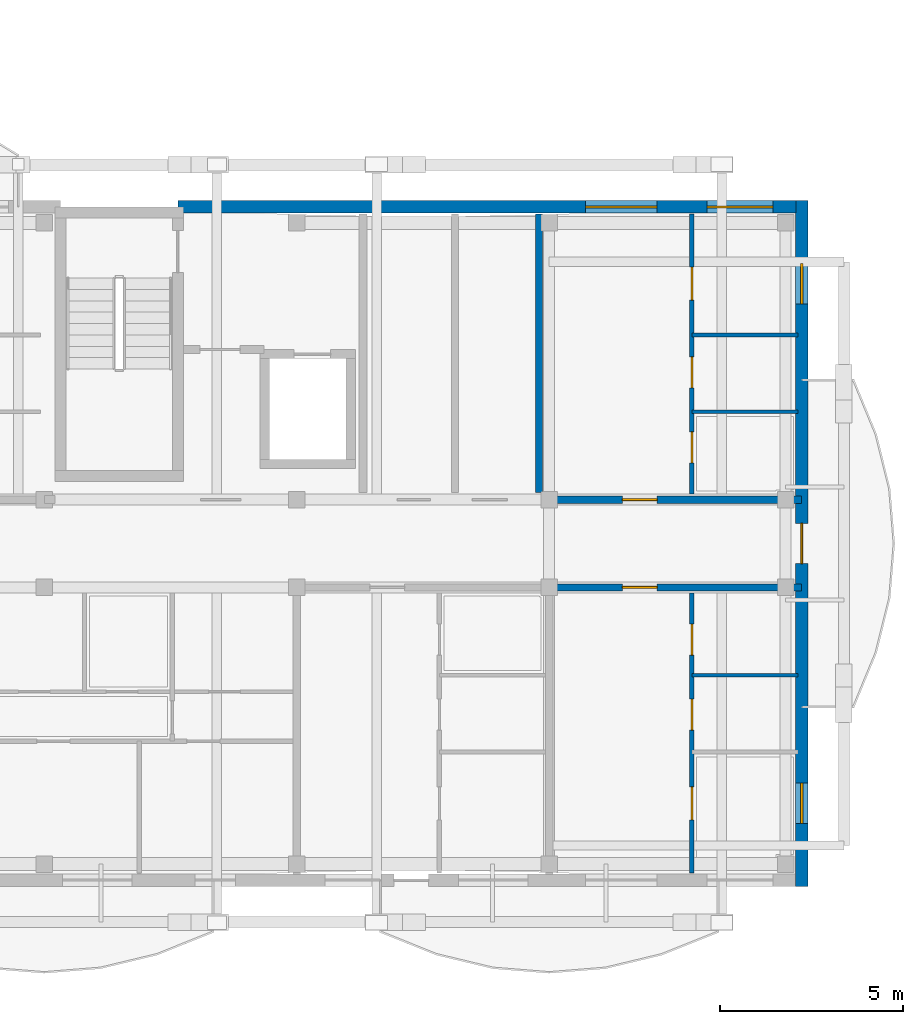
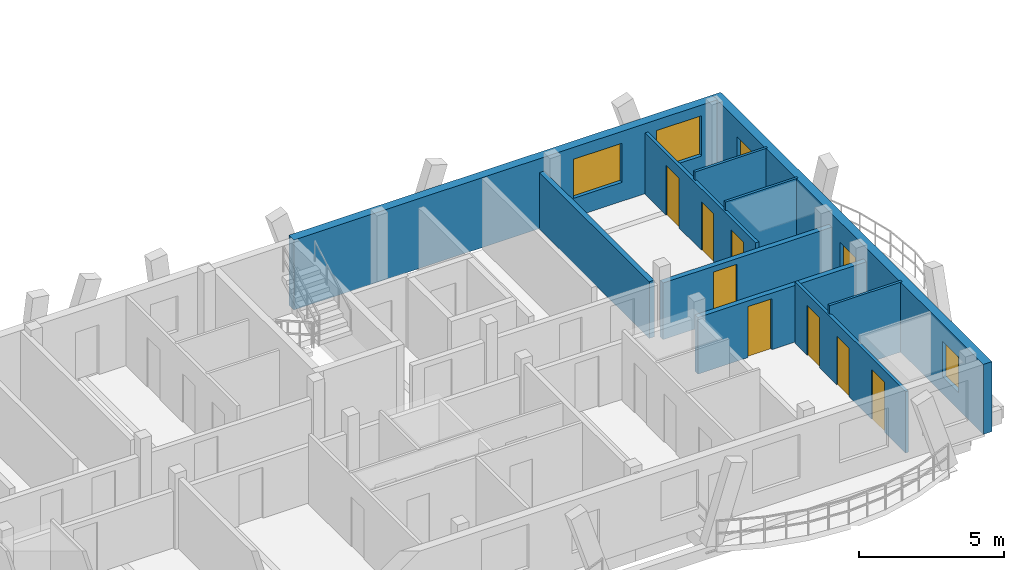
# One storey, part 29 of 44: 10 walls, 9 doors, 4 windows, 13 openings.
"""IFC4 building model written with IfcOpenShell, lengths in metres."""

from ifc_helpers import new_model, si_unit, direction, frame, frame_2d, origin, origin_with_axes, place, context, subcontext, project, spatial, rectangle, extrude, material, layer, layer_set, type_object, element, fill, save


model = new_model("IFC4")

# Units and contexts
model_context = context("Model", 3, precision=1e-05, world=origin(), true_north=direction((0.0, 1.0)))
body_context = subcontext(model_context, "Body", "Model", "MODEL_VIEW")
ifc_project = project(units=[si_unit("LENGTHUNIT", "METRE"), si_unit("AREAUNIT", "SQUARE_METRE"), si_unit("VOLUMEUNIT", "CUBIC_METRE"), si_unit("PLANEANGLEUNIT", "RADIAN"), si_unit("MASSUNIT", "GRAM", prefix="KILO")], contexts=[model_context])

# Site, building, storey
site_placement = place(None, origin())
site = spatial("IfcSite", under=ifc_project, at=site_placement, CompositionType="ELEMENT")
building_placement = place(site_placement, origin())
building = spatial("IfcBuilding", under=site, at=building_placement, Name="Zavelmont Quarter", CompositionType="ELEMENT")
storey_placement = place(building_placement, frame((0.0, 0.0, 20.800048828125)))
storey = spatial("IfcBuildingStorey", under=building, at=storey_placement, Name="L06", CompositionType="ELEMENT", Elevation=20.800048828125)

# Wall, openings, windows
ifc_material_1 = material(Name="Natural Belgian limestone", Category="masonry")
ifc_layer_1 = layer(ifc_material_1, 0.340087890625)
ifc_layer_set_1 = layer_set([ifc_layer_1], Name="Natural Belgian limestone")
wall_type_1 = type_object("IfcWallType", Name="EW03", PredefinedType="STANDARD", material=ifc_layer_set_1)
wall_1_placement = place(storey_placement, frame((150.949951171875, 18.39990234375, 0.0), z_axis=(0.0, 0.0, 1.0), x_axis=(1.0, 0.0, 0.0)))
wall_1 = element("IfcWall", 1, at=wall_1_placement, inside=storey, type_object=wall_type_1, Name="L06 exterior limestone wall EW03", PredefinedType="STANDARD", context=body_context, shape_type="SweptSolid", body=[
    extrude(rectangle(XDim=16.89013671875, YDim=0.340087890625, at=frame_2d((8.445068359375, 0.0))), origin(), (0.0, 0.0, 1.0), 2.949951171875),
])
opening_1_placement = place(wall_1_placement, frame((11.14501953125, 0.0, 0.800048828125)))
opening_1 = element("IfcOpeningElement", 2, at=opening_1_placement, cuts=wall_1, Name="Opening WN24", PredefinedType="OPENING", context=body_context, shape_type="SweptSolid", body=[
    extrude(rectangle(XDim=1.949951171875, YDim=1.64990234375, at=frame_2d((0.97509765625, 0.824951171875))), frame((0.0, 0.18212890625, 0.0), z_axis=(0.0, -1.0, 0.0), x_axis=(1.0, 0.0, 0.0)), (0.0, 0.0, 1.0), 0.364013671875),
])
opening_2_placement = place(wall_1_placement, frame((14.4599609375, 0.0, 0.800048828125)))
opening_2 = element("IfcOpeningElement", 3, at=opening_2_placement, cuts=wall_1, Name="Opening WN02", PredefinedType="OPENING", context=body_context, shape_type="SweptSolid", body=[
    extrude(rectangle(XDim=1.800048828125, YDim=1.699951171875, at=frame_2d((0.89990234375, 0.85009765625))), frame((0.0, 0.18212890625, 0.0), z_axis=(0.0, -1.0, 0.0), x_axis=(1.0, 0.0, 0.0)), (0.0, 0.0, 1.0), 0.364013671875),
])
ifc_material_2 = material(Name="Double low-E insulated glazing in thermally broken aluminium frame", Category="aluminium")
window_type_1 = type_object("IfcWindowType", Name="WN02", PartitioningType="SINGLE_PANEL", PredefinedType="WINDOW", material=ifc_material_2)
window_1_placement = place(opening_2_placement, origin_with_axes())
window_1 = element("IfcWindow", 4, at=window_1_placement, inside=storey, type_object=window_type_1, Name="L06 window WN02", OverallHeight=1.699951171875, OverallWidth=1.800048828125, PartitioningType="SINGLE_PANEL", PredefinedType="WINDOW", context=body_context, shape_type="SweptSolid", body=[
    extrude(rectangle(XDim=1.800048828125, YDim=1.699951171875, at=frame_2d((0.89990234375, 0.85009765625))), frame((0.0, 0.030029296875, 0.0), z_axis=(0.0, -1.0, 0.0), x_axis=(1.0, 0.0, 0.0)), (0.0, 0.0, 1.0), 0.06005859375),
])
fill(opening_2, window_1)
window_type_2 = type_object("IfcWindowType", Name="WN24", PartitioningType="SINGLE_PANEL", PredefinedType="WINDOW", material=ifc_material_2)
window_2_placement = place(opening_1_placement, origin_with_axes())
window_2 = element("IfcWindow", 5, at=window_2_placement, inside=storey, type_object=window_type_2, Name="L06 window WN24", OverallHeight=1.64990234375, OverallWidth=1.949951171875, PartitioningType="SINGLE_PANEL", PredefinedType="WINDOW", context=body_context, shape_type="SweptSolid", body=[
    extrude(rectangle(XDim=1.949951171875, YDim=1.64990234375, at=frame_2d((0.97509765625, 0.824951171875))), frame((0.0, 0.030029296875, 0.0), z_axis=(0.0, -1.0, 0.0), x_axis=(1.0, 0.0, 0.0)), (0.0, 0.0, 1.0), 0.06005859375),
])
fill(opening_1, window_2)

# Wall, openings, door, windows
wall_2_placement = place(storey_placement, frame((168.0, -0.169921875, 0.0), z_axis=(0.0, 0.0, 1.0), x_axis=(0.0, 1.0, 0.0)))
wall_2 = element("IfcWall", 6, at=wall_2_placement, inside=storey, type_object=wall_type_1, Name="L06 exterior limestone wall EW03", PredefinedType="STANDARD", context=body_context, shape_type="SweptSolid", body=[
    extrude(rectangle(XDim=18.739990234375, YDim=0.340087890625, at=frame_2d((9.3701171875, 0.0))), origin(), (0.0, 0.0, 1.0), 2.949951171875),
])
opening_3_placement = place(wall_2_placement, frame((8.820068359375, 0.0, 0.0)))
opening_3 = element("IfcOpeningElement", 7, at=opening_3_placement, cuts=wall_2, Name="Opening DR04B", PredefinedType="OPENING", context=body_context, shape_type="SweptSolid", body=[
    extrude(rectangle(XDim=1.10009765625, YDim=2.10009765625, at=frame_2d((0.550048828125, 1.050048828125))), frame((0.0, 0.18212890625, 0.0), z_axis=(0.0, -1.0, 0.0), x_axis=(1.0, 0.0, 0.0)), (0.0, 0.0, 1.0), 0.364013671875),
])
opening_4_placement = place(wall_2_placement, frame((1.719970703125, 0.0, 0.719970703125)))
opening_4 = element("IfcOpeningElement", 8, at=opening_4_placement, cuts=wall_2, Name="Opening WN09", PredefinedType="OPENING", context=body_context, shape_type="SweptSolid", body=[
    extrude(rectangle(XDim=1.10009765625, YDim=1.5, at=frame_2d((0.550048828125, 0.75))), frame((0.0, 0.18212890625, 0.0), z_axis=(0.0, -1.0, 0.0), x_axis=(1.0, 0.0, 0.0)), (0.0, 0.0, 1.0), 0.364013671875),
])
opening_5_placement = place(wall_2_placement, frame((15.919921875, 0.0, 0.719970703125)))
opening_5 = element("IfcOpeningElement", 9, at=opening_5_placement, cuts=wall_2, Name="Opening WN09", PredefinedType="OPENING", context=body_context, shape_type="SweptSolid", body=[
    extrude(rectangle(XDim=1.10009765625, YDim=1.5, at=frame_2d((0.550048828125, 0.75))), frame((0.0, 0.18212890625, 0.0), z_axis=(0.0, -1.0, 0.0), x_axis=(1.0, 0.0, 0.0)), (0.0, 0.0, 1.0), 0.364013671875),
])
ifc_material_3 = material(Name="Thermally broken aluminium and double safety glass", Category="aluminium")
door_type_1 = type_object("IfcDoorType", Name="DR04B", OperationType="NOTDEFINED", PredefinedType="DOOR", material=ifc_material_3)
door_1_placement = place(opening_3_placement, origin_with_axes())
door_1 = element("IfcDoor", 10, at=door_1_placement, inside=storey, type_object=door_type_1, Name="Block D L06 terrace or vase balcony door", OperationType="SINGLE_SWING_LEFT", OverallHeight=2.10009765625, OverallWidth=1.10009765625, PredefinedType="DOOR", context=body_context, shape_type="SweptSolid", body=[
    extrude(rectangle(XDim=1.10009765625, YDim=2.10009765625, at=frame_2d((0.550048828125, 1.050048828125))), frame((0.0, 0.02490234375, 0.0), z_axis=(0.0, -1.0, 0.0), x_axis=(1.0, 0.0, 0.0)), (0.0, 0.0, 1.0), 0.050048828125),
])
fill(opening_3, door_1)
window_type_3 = type_object("IfcWindowType", Name="WN09", PartitioningType="SINGLE_PANEL", PredefinedType="WINDOW", material=ifc_material_2)
window_3_placement = place(opening_4_placement, origin_with_axes())
window_3 = element("IfcWindow", 11, at=window_3_placement, inside=storey, type_object=window_type_3, Name="L06 window WN09", OverallHeight=1.5, OverallWidth=1.10009765625, PartitioningType="SINGLE_PANEL", PredefinedType="WINDOW", context=body_context, shape_type="SweptSolid", body=[
    extrude(rectangle(XDim=1.10009765625, YDim=1.5, at=frame_2d((0.550048828125, 0.75))), frame((0.0, 0.030029296875, 0.0), z_axis=(0.0, -1.0, 0.0), x_axis=(1.0, 0.0, 0.0)), (0.0, 0.0, 1.0), 0.06005859375),
])
fill(opening_4, window_3)
window_4_placement = place(opening_5_placement, origin_with_axes())
window_4 = element("IfcWindow", 12, at=window_4_placement, inside=storey, type_object=window_type_3, Name="L06 window WN09", OverallHeight=1.5, OverallWidth=1.10009765625, PartitioningType="SINGLE_PANEL", PredefinedType="WINDOW", context=body_context, shape_type="SweptSolid", body=[
    extrude(rectangle(XDim=1.10009765625, YDim=1.5, at=frame_2d((0.550048828125, 0.75))), frame((0.0, 0.030029296875, 0.0), z_axis=(0.0, -1.0, 0.0), x_axis=(1.0, 0.0, 0.0)), (0.0, 0.0, 1.0), 0.06005859375),
])
fill(opening_5, window_4)

# Wall
ifc_material_4 = material(Name="Calcium-silicate blockwork and acoustic plaster", Category="masonry")
ifc_layer_2 = layer(ifc_material_4, 0.199951171875)
ifc_layer_set_2 = layer_set([ifc_layer_2], Name="Calcium-silicate blockwork and acoustic plaster")
wall_type_2 = type_object("IfcWallType", Name="IW01", PredefinedType="PARTITIONING", material=ifc_layer_set_2)
wall_3_placement = place(storey_placement, frame((160.820068359375, 10.60009765625, 0.0), z_axis=(0.0, 0.0, 1.0), x_axis=(0.0, 1.0, 0.0)))
element("IfcWall", 13, at=wall_3_placement, inside=storey, type_object=wall_type_2, Name="L06 Core service end wall IW01", PredefinedType="PARTITIONING", context=body_context, shape_type="SweptSolid", body=[
    extrude(rectangle(XDim=7.599853515625, YDim=0.199951171875, at=frame_2d((3.7998046875, 0.0))), origin(), (0.0, 0.0, 1.0), 2.389892578125),
])

# Wall, opening, door
wall_4_placement = place(storey_placement, frame((161.10009765625, 8.0, 0.0), z_axis=(0.0, 0.0, 1.0), x_axis=(1.0, 0.0, 0.0)))
wall_4 = element("IfcWall", 14, at=wall_4_placement, inside=storey, type_object=wall_type_2, Name="L06 Corridor compartment wall IW01", PredefinedType="PARTITIONING", context=body_context, shape_type="SweptSolid", body=[
    extrude(rectangle(XDim=6.89990234375, YDim=0.199951171875, at=frame_2d((3.449951171875, 0.0))), origin(), (0.0, 0.0, 1.0), 2.389892578125),
])
opening_6_placement = place(wall_4_placement, frame((2.0, 0.0, 0.0)))
opening_6 = element("IfcOpeningElement", 15, at=opening_6_placement, cuts=wall_4, Name="Opening DR02", PredefinedType="OPENING", context=body_context, shape_type="SweptSolid", body=[
    extrude(rectangle(XDim=0.949951171875, YDim=2.14990234375, at=frame_2d((0.47509765625, 1.074951171875))), frame((0.0, 0.11181640625, 0.0), z_axis=(0.0, -1.0, 0.0), x_axis=(1.0, 0.0, 0.0)), (0.0, 0.0, 1.0), 0.223876953125),
])
ifc_material_5 = material(Name="Solid-core oak fire leaf in steel frame", Category="steel")
door_type_2 = type_object("IfcDoorType", Name="DR02", OperationType="NOTDEFINED", PredefinedType="DOOR", material=ifc_material_5)
door_2_placement = place(opening_6_placement, frame((0.949951171875, 0.0, 0.0), z_axis=(0.0, 0.0, 1.0), x_axis=(-1.0, 0.0, 0.0)))
door_2 = element("IfcDoor", 16, at=door_2_placement, inside=storey, type_object=door_type_2, Name="L06 door DR02", OperationType="SINGLE_SWING_LEFT", OverallHeight=2.14990234375, OverallWidth=0.949951171875, PredefinedType="DOOR", context=body_context, shape_type="SweptSolid", body=[
    extrude(rectangle(XDim=0.949951171875, YDim=2.14990234375, at=frame_2d((0.47509765625, 1.074951171875))), frame((0.0, 0.02490234375, 0.0), z_axis=(0.0, -1.0, 0.0), x_axis=(1.0, 0.0, 0.0)), (0.0, 0.0, 1.0), 0.050048828125),
])
fill(opening_6, door_2)

wall_5_placement = place(storey_placement, frame((161.10009765625, 10.39990234375, 0.0), z_axis=(0.0, 0.0, 1.0), x_axis=(1.0, 0.0, 0.0)))
wall_5 = element("IfcWall", 17, at=wall_5_placement, inside=storey, type_object=wall_type_2, Name="L06 Corridor compartment wall IW01", PredefinedType="PARTITIONING", context=body_context, shape_type="SweptSolid", body=[
    extrude(rectangle(XDim=6.89990234375, YDim=0.199951171875, at=frame_2d((3.449951171875, 0.0))), origin(), (0.0, 0.0, 1.0), 2.389892578125),
])
opening_7_placement = place(wall_5_placement, frame((2.0, 0.0, 0.0)))
opening_7 = element("IfcOpeningElement", 18, at=opening_7_placement, cuts=wall_5, Name="Opening DR02", PredefinedType="OPENING", context=body_context, shape_type="SweptSolid", body=[
    extrude(rectangle(XDim=0.949951171875, YDim=2.14990234375, at=frame_2d((0.47509765625, 1.074951171875))), frame((0.0, 0.11181640625, 0.0), z_axis=(0.0, -1.0, 0.0), x_axis=(1.0, 0.0, 0.0)), (0.0, 0.0, 1.0), 0.223876953125),
])
door_3_placement = place(opening_7_placement, origin_with_axes())
door_3 = element("IfcDoor", 19, at=door_3_placement, inside=storey, type_object=door_type_2, Name="L06 door DR02", OperationType="SINGLE_SWING_RIGHT", OverallHeight=2.14990234375, OverallWidth=0.949951171875, PredefinedType="DOOR", context=body_context, shape_type="SweptSolid", body=[
    extrude(rectangle(XDim=0.949951171875, YDim=2.14990234375, at=frame_2d((0.47509765625, 1.074951171875))), frame((0.0, 0.02490234375, 0.0), z_axis=(0.0, -1.0, 0.0), x_axis=(1.0, 0.0, 0.0)), (0.0, 0.0, 1.0), 0.050048828125),
])
fill(opening_7, door_3)

# Wall, openings, doors
ifc_material_6 = material(Name="Double gypsum board on acoustic steel stud", Category="steel")
ifc_layer_3 = layer(ifc_material_6, 0.125)
ifc_layer_set_3 = layer_set([ifc_layer_3], Name="Double gypsum board on acoustic steel stud")
wall_type_3 = type_object("IfcWallType", Name="IW03", PredefinedType="PARTITIONING", material=ifc_layer_set_3)
wall_6_placement = place(storey_placement, frame((165.0, 7.85009765625, 0.0), z_axis=(0.0, 0.0, 1.0), x_axis=(0.0, -1.0, 0.0)))
wall_6 = element("IfcWall", 20, at=wall_6_placement, inside=storey, type_object=wall_type_3, Name="L06 Partition IW03", PredefinedType="PARTITIONING", context=body_context, shape_type="SweptSolid", body=[
    extrude(rectangle(XDim=7.650146484375, YDim=0.125, at=frame_2d((3.8251953125, 0.0))), origin(), (0.0, 0.0, 1.0), 2.58984375),
])
opening_8_placement = place(wall_6_placement, frame((0.85009765625, 0.0, 0.0)))
opening_8 = element("IfcOpeningElement", 21, at=opening_8_placement, cuts=wall_6, Name="Opening DR16", PredefinedType="OPENING", context=body_context, shape_type="SweptSolid", body=[
    extrude(rectangle(XDim=0.85009765625, YDim=2.10009765625, at=frame_2d((0.425048828125, 1.050048828125))), frame((0.0, 0.074462890625, 0.0), z_axis=(0.0, -1.0, 0.0), x_axis=(1.0, 0.0, 0.0)), (0.0, 0.0, 1.0), 0.14892578125),
])
opening_9_placement = place(wall_6_placement, frame((2.89990234375, 0.0, 0.0)))
opening_9 = element("IfcOpeningElement", 22, at=opening_9_placement, cuts=wall_6, Name="Opening DR06", PredefinedType="OPENING", context=body_context, shape_type="SweptSolid", body=[
    extrude(rectangle(XDim=0.85009765625, YDim=2.050048828125, at=frame_2d((0.425048828125, 1.02490234375))), frame((0.0, 0.074462890625, 0.0), z_axis=(0.0, -1.0, 0.0), x_axis=(1.0, 0.0, 0.0)), (0.0, 0.0, 1.0), 0.14892578125),
])
opening_10_placement = place(wall_6_placement, frame((5.300048828125, 0.0, 0.0)))
opening_10 = element("IfcOpeningElement", 23, at=opening_10_placement, cuts=wall_6, Name="Opening DR05", PredefinedType="OPENING", context=body_context, shape_type="SweptSolid", body=[
    extrude(rectangle(XDim=0.89990234375, YDim=2.10009765625, at=frame_2d((0.449951171875, 1.050048828125))), frame((0.0, 0.074462890625, 0.0), z_axis=(0.0, -1.0, 0.0), x_axis=(1.0, 0.0, 0.0)), (0.0, 0.0, 1.0), 0.14892578125),
])
ifc_material_7 = material(Name="Engineered oak flush interior door")
door_type_3 = type_object("IfcDoorType", Name="DR05", OperationType="NOTDEFINED", PredefinedType="DOOR", material=ifc_material_7)
door_4_placement = place(opening_10_placement, origin_with_axes())
door_4 = element("IfcDoor", 24, at=door_4_placement, inside=storey, type_object=door_type_3, Name="L06 door DR05", OperationType="SINGLE_SWING_LEFT", OverallHeight=2.10009765625, OverallWidth=0.89990234375, PredefinedType="DOOR", context=body_context, shape_type="SweptSolid", body=[
    extrude(rectangle(XDim=0.89990234375, YDim=2.10009765625, at=frame_2d((0.449951171875, 1.050048828125))), frame((0.0, 0.02490234375, 0.0), z_axis=(0.0, -1.0, 0.0), x_axis=(1.0, 0.0, 0.0)), (0.0, 0.0, 1.0), 0.050048828125),
])
fill(opening_10, door_4)
ifc_material_8 = material(Name="Moisture-resistant painted wet-room door")
door_type_4 = type_object("IfcDoorType", Name="DR06", OperationType="NOTDEFINED", PredefinedType="DOOR", material=ifc_material_8)
door_5_placement = place(opening_9_placement, frame((0.85009765625, 0.0, 0.0), z_axis=(0.0, 0.0, 1.0), x_axis=(-1.0, 0.0, 0.0)))
door_5 = element("IfcDoor", 25, at=door_5_placement, inside=storey, type_object=door_type_4, Name="L06 door DR06", OperationType="SINGLE_SWING_RIGHT", OverallHeight=2.050048828125, OverallWidth=0.85009765625, PredefinedType="DOOR", context=body_context, shape_type="SweptSolid", body=[
    extrude(rectangle(XDim=0.85009765625, YDim=2.050048828125, at=frame_2d((0.425048828125, 1.02490234375))), frame((0.0, 0.02490234375, 0.0), z_axis=(0.0, -1.0, 0.0), x_axis=(1.0, 0.0, 0.0)), (0.0, 0.0, 1.0), 0.050048828125),
])
fill(opening_9, door_5)
door_type_5 = type_object("IfcDoorType", Name="DR16", OperationType="NOTDEFINED", PredefinedType="DOOR", material=ifc_material_7)
door_6_placement = place(opening_8_placement, origin_with_axes())
door_6 = element("IfcDoor", 26, at=door_6_placement, inside=storey, type_object=door_type_5, Name="L06 door DR16", OperationType="SINGLE_SWING_LEFT", OverallHeight=2.10009765625, OverallWidth=0.85009765625, PredefinedType="DOOR", context=body_context, shape_type="SweptSolid", body=[
    extrude(rectangle(XDim=0.85009765625, YDim=2.10009765625, at=frame_2d((0.425048828125, 1.050048828125))), frame((0.0, 0.02490234375, 0.0), z_axis=(0.0, -1.0, 0.0), x_axis=(1.0, 0.0, 0.0)), (0.0, 0.0, 1.0), 0.050048828125),
])
fill(opening_8, door_6)

wall_7_placement = place(storey_placement, frame((165.0, 10.550048828125, 0.0), z_axis=(0.0, 0.0, 1.0), x_axis=(0.0, 1.0, 0.0)))
wall_7 = element("IfcWall", 27, at=wall_7_placement, inside=storey, type_object=wall_type_3, Name="L06 Partition IW03", PredefinedType="PARTITIONING", context=body_context, shape_type="SweptSolid", body=[
    extrude(rectangle(XDim=7.64990234375, YDim=0.125, at=frame_2d((3.824951171875, 0.0))), origin(), (0.0, 0.0, 1.0), 2.58984375),
])
opening_11_placement = place(wall_7_placement, frame((0.85009765625, 0.0, 0.0)))
opening_11 = element("IfcOpeningElement", 28, at=opening_11_placement, cuts=wall_7, Name="Opening DR16", PredefinedType="OPENING", context=body_context, shape_type="SweptSolid", body=[
    extrude(rectangle(XDim=0.85009765625, YDim=2.10009765625, at=frame_2d((0.425048828125, 1.050048828125))), frame((0.0, 0.074462890625, 0.0), z_axis=(0.0, -1.0, 0.0), x_axis=(1.0, 0.0, 0.0)), (0.0, 0.0, 1.0), 0.14892578125),
])
opening_12_placement = place(wall_7_placement, frame((2.89990234375, 0.0, 0.0)))
opening_12 = element("IfcOpeningElement", 29, at=opening_12_placement, cuts=wall_7, Name="Opening DR06", PredefinedType="OPENING", context=body_context, shape_type="SweptSolid", body=[
    extrude(rectangle(XDim=0.85009765625, YDim=2.050048828125, at=frame_2d((0.425048828125, 1.02490234375))), frame((0.0, 0.074462890625, 0.0), z_axis=(0.0, -1.0, 0.0), x_axis=(1.0, 0.0, 0.0)), (0.0, 0.0, 1.0), 0.14892578125),
])
opening_13_placement = place(wall_7_placement, frame((5.300048828125, 0.0, 0.0)))
opening_13 = element("IfcOpeningElement", 30, at=opening_13_placement, cuts=wall_7, Name="Opening DR05", PredefinedType="OPENING", context=body_context, shape_type="SweptSolid", body=[
    extrude(rectangle(XDim=0.89990234375, YDim=2.10009765625, at=frame_2d((0.449951171875, 1.050048828125))), frame((0.0, 0.074462890625, 0.0), z_axis=(0.0, -1.0, 0.0), x_axis=(1.0, 0.0, 0.0)), (0.0, 0.0, 1.0), 0.14892578125),
])
door_7_placement = place(opening_13_placement, origin_with_axes())
door_7 = element("IfcDoor", 31, at=door_7_placement, inside=storey, type_object=door_type_3, Name="L06 door DR05", OperationType="SINGLE_SWING_RIGHT", OverallHeight=2.10009765625, OverallWidth=0.89990234375, PredefinedType="DOOR", context=body_context, shape_type="SweptSolid", body=[
    extrude(rectangle(XDim=0.89990234375, YDim=2.10009765625, at=frame_2d((0.449951171875, 1.050048828125))), frame((0.0, 0.02490234375, 0.0), z_axis=(0.0, -1.0, 0.0), x_axis=(1.0, 0.0, 0.0)), (0.0, 0.0, 1.0), 0.050048828125),
])
fill(opening_13, door_7)
door_8_placement = place(opening_12_placement, frame((0.85009765625, 0.0, 0.0), z_axis=(0.0, 0.0, 1.0), x_axis=(-1.0, 0.0, 0.0)))
door_8 = element("IfcDoor", 32, at=door_8_placement, inside=storey, type_object=door_type_4, Name="L06 door DR06", OperationType="SINGLE_SWING_LEFT", OverallHeight=2.050048828125, OverallWidth=0.85009765625, PredefinedType="DOOR", context=body_context, shape_type="SweptSolid", body=[
    extrude(rectangle(XDim=0.85009765625, YDim=2.050048828125, at=frame_2d((0.425048828125, 1.02490234375))), frame((0.0, 0.02490234375, 0.0), z_axis=(0.0, -1.0, 0.0), x_axis=(1.0, 0.0, 0.0)), (0.0, 0.0, 1.0), 0.050048828125),
])
fill(opening_12, door_8)
door_9_placement = place(opening_11_placement, origin_with_axes())
door_9 = element("IfcDoor", 33, at=door_9_placement, inside=storey, type_object=door_type_5, Name="L06 door DR16", OperationType="SINGLE_SWING_RIGHT", OverallHeight=2.10009765625, OverallWidth=0.85009765625, PredefinedType="DOOR", context=body_context, shape_type="SweptSolid", body=[
    extrude(rectangle(XDim=0.85009765625, YDim=2.10009765625, at=frame_2d((0.425048828125, 1.050048828125))), frame((0.0, 0.02490234375, 0.0), z_axis=(0.0, -1.0, 0.0), x_axis=(1.0, 0.0, 0.0)), (0.0, 0.0, 1.0), 0.050048828125),
])
fill(opening_11, door_9)

# Walls
ifc_material_9 = material(Name="Moisture-resistant gypsum board on steel stud", Category="steel")
ifc_layer_4 = layer(ifc_material_9, 0.10009765625)
ifc_layer_set_4 = layer_set([ifc_layer_4], Name="Moisture-resistant gypsum board on steel stud")
wall_type_4 = type_object("IfcWallType", Name="IW04", PredefinedType="PARTITIONING", material=ifc_layer_set_4)
for number, where, z_axis, x_axis, name in (
    (34, (165.0, 5.60009765625, 0.0), (0.0, 0.0, 1.0), (1.0, 0.0, 0.0), "L06 Partition IW04"),
    (35, (165.0, 12.800048828125, 0.0), (0.0, 0.0, 1.0), (1.0, 0.0, 0.0), "L06 Partition IW04"),
    (36, (165.0, 14.89990234375, 0.0), (0.0, 0.0, 1.0), (1.0, 0.0, 0.0), "L06 Partition IW04"),
):
    element("IfcWall", number, at=place(storey_placement, frame(where, z_axis=z_axis, x_axis=x_axis)), inside=storey, type_object=wall_type_4, Name=name, PredefinedType="PARTITIONING", context=body_context, shape_type="SweptSolid", body=[
        extrude(rectangle(XDim=2.89990234375, YDim=0.10009765625, at=frame_2d((1.449951171875, 0.0))), origin(), (0.0, 0.0, 1.0), 2.949951171875),
    ])

save(model, "model.ifc")
